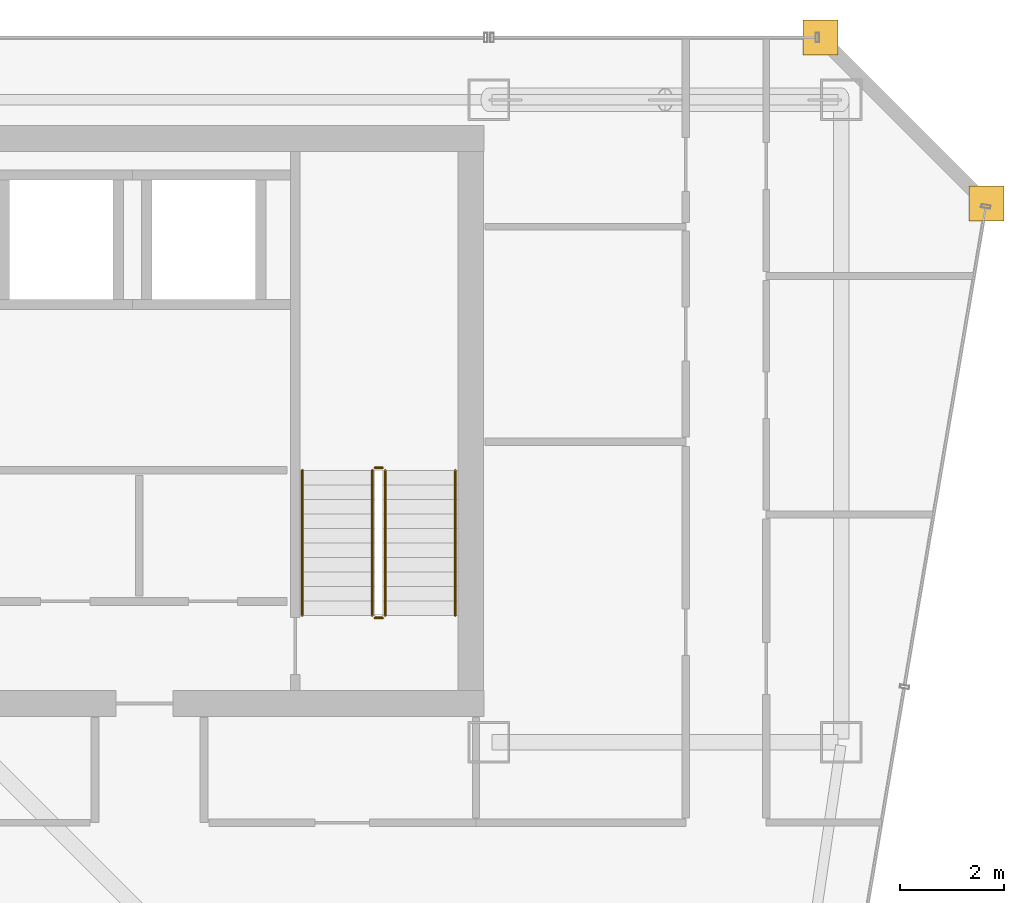
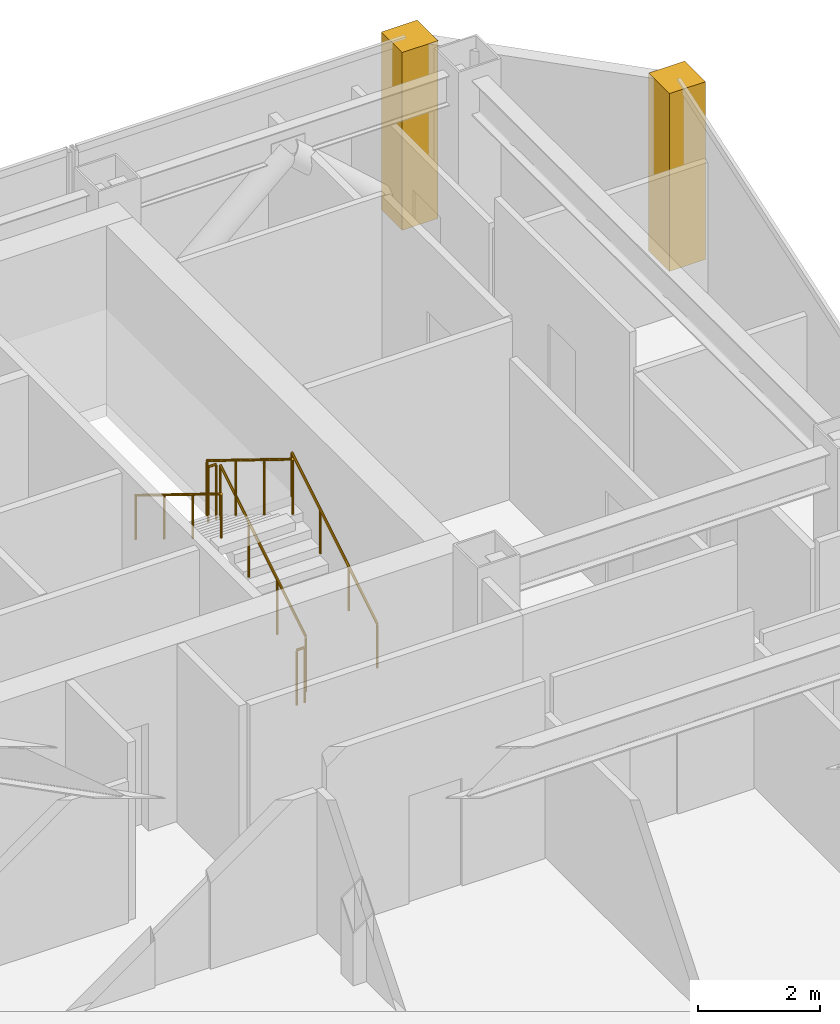
# One storey, part 36 of 36: 6 railings, 2 coverings.
"""IFC4 building model written with IfcOpenShell, lengths in metres."""

from ifc_helpers import new_model, si_unit, direction, frame, origin, origin_2d, place, context, subcontext, project, spatial, polyline, circle, outline, extrude, material, layer, layer_set, type_object, element, save


model = new_model("IFC4")

# Units and contexts
model_context = context("Model", 3, precision=1e-05, world=origin(), true_north=direction((0.0, 1.0)))
body_context = subcontext(model_context, "Body", "Model", "MODEL_VIEW")
ifc_project = project(units=[si_unit("LENGTHUNIT", "METRE"), si_unit("AREAUNIT", "SQUARE_METRE"), si_unit("VOLUMEUNIT", "CUBIC_METRE"), si_unit("PLANEANGLEUNIT", "RADIAN"), si_unit("MASSUNIT", "GRAM", prefix="KILO")], contexts=[model_context])

# Site, building, storey
site_placement = place(None, origin())
site = spatial("IfcSite", under=ifc_project, at=site_placement, CompositionType="ELEMENT")
building_placement = place(site_placement, origin())
building = spatial("IfcBuilding", under=site, at=building_placement, Name="Saevonmaru Cultural Tower", CompositionType="ELEMENT")
storey_placement = place(building_placement, frame((0.0, 0.0, 205.60009765625)))
storey = spatial("IfcBuildingStorey", under=building, at=storey_placement, Name="L47", CompositionType="ELEMENT", Elevation=205.60009765625)

# Coverings
ifc_material_1 = material(Name="Satin Bronze Anodised Aluminium", Category="aluminium")
ifc_layer = layer(ifc_material_1, 0.679931640625, Name="Satin Bronze Anodised Aluminium")
ifc_layer_set = layer_set([ifc_layer], Name="Satin Bronze Anodised Aluminium")
covering_type = type_object("IfcCoveringType", Name="CV-CORNER-CLAD", PredefinedType="CLADDING", material=ifc_layer_set)
covering_1_placement = place(storey_placement, origin())
element("IfcCovering", 1, at=covering_1_placement, inside=storey, type_object=covering_type, Name="L47 Tower Bronze Corner Cladding Pier 9", PredefinedType="CLADDING", context=body_context, shape_type="SweptSolid", body=[
    extrude(outline(polyline([(55.659912109375, 52.4599609375), (56.340087890625, 52.4599609375), (56.340087890625, 53.139892578125), (55.659912109375, 53.139892578125), (55.659912109375, 52.4599609375)])), origin(), (0.0, 0.0, 1.0), 3.5498046875),
])
covering_2_placement = place(storey_placement, origin())
element("IfcCovering", 2, at=covering_2_placement, inside=storey, type_object=covering_type, Name="L47 Tower Bronze Corner Cladding Pier 10", PredefinedType="CLADDING", context=body_context, shape_type="SweptSolid", body=[
    extrude(outline(polyline([(52.4599609375, 55.659912109375), (53.139892578125, 55.659912109375), (53.139892578125, 56.340087890625), (52.4599609375, 56.340087890625), (52.4599609375, 55.659912109375)])), origin(), (0.0, 0.0, 1.0), 3.5498046875),
])

# Railings
ifc_material_2 = material(Name="Architectural Painted Steel", Category="steel")
railing_type_1 = type_object("IfcRailingType", Name="RL-STAIR-GUARD", PredefinedType="GUARDRAIL", material=ifc_material_2)
railing_1_placement = place(storey_placement, frame((44.39990234375, 44.85009765625, 0.172607421875)))
element("IfcRailing", 3, at=railing_1_placement, inside=storey, type_object=railing_type_1, Name="L47 ST-2 stair guard 1", PredefinedType="GUARDRAIL", context=body_context, shape_type="SweptSolid", body=[
    extrude(circle(Radius=0.02392578125, at=origin_2d()), frame((0.0, 0.0, 1.09619140625), z_axis=(0.0, 0.851069175582, 0.525053576669), x_axis=(-1.0, 0.0, 0.0)), (0.0, 0.0, 1.0), 3.289794921875),
    extrude(circle(Radius=0.02099609375, at=origin_2d()), origin(), (0.0, 0.0, 1.0), 1.072021484375),
    extrude(circle(Radius=0.02099609375, at=origin_2d()), frame((0.0, 0.933349609375, 0.57568359375)), (0.0, 0.0, 1.0), 1.072021484375),
    extrude(circle(Radius=0.02099609375, at=origin_2d()), frame((0.0, 1.866455078125, 1.151611328125)), (0.0, 0.0, 1.0), 1.072021484375),
    extrude(circle(Radius=0.02099609375, at=origin_2d()), frame((0.0, 2.7998046875, 1.727294921875)), (0.0, 0.0, 1.0), 1.072021484375),
])
railing_2_placement = place(storey_placement, frame((44.35009765625, 47.699951171875, 1.89990234375)))
element("IfcRailing", 4, at=railing_2_placement, inside=storey, type_object=railing_type_1, Name="L47 ST-2 stair guard 2", PredefinedType="GUARDRAIL", context=body_context, shape_type="SweptSolid", body=[
    extrude(circle(Radius=0.02392578125, at=origin_2d()), frame((0.0, 0.0, 1.09619140625), z_axis=(-1.0, 0.0, 0.0), x_axis=(0.0, -1.0, 0.0)), (0.0, 0.0, 1.0), 0.150146484375),
    extrude(circle(Radius=0.02099609375, at=origin_2d()), origin(), (0.0, 0.0, 1.0), 1.072021484375),
    extrude(circle(Radius=0.02099609375, at=origin_2d()), frame((-0.150146484375, 0.0, 0.0)), (0.0, 0.0, 1.0), 1.072021484375),
])
railing_3_placement = place(storey_placement, frame((44.14990234375, 47.64990234375, 2.072509765625)))
element("IfcRailing", 5, at=railing_3_placement, inside=storey, type_object=railing_type_1, Name="L47 ST-2 stair guard 3", PredefinedType="GUARDRAIL", context=body_context, shape_type="SweptSolid", body=[
    extrude(circle(Radius=0.02392578125, at=origin_2d()), frame((0.0, 0.0, 1.09619140625), z_axis=(0.0, -0.851069175582, 0.525053576669), x_axis=(1.0, 0.0, 0.0)), (0.0, 0.0, 1.0), 3.289794921875),
    extrude(circle(Radius=0.02099609375, at=origin_2d()), origin(), (0.0, 0.0, 1.0), 1.072021484375),
    extrude(circle(Radius=0.02099609375, at=origin_2d()), frame((0.0, -0.933349609375, 0.57568359375)), (0.0, 0.0, 1.0), 1.072021484375),
    extrude(circle(Radius=0.02099609375, at=origin_2d()), frame((0.0, -1.866455078125, 1.151611328125)), (0.0, 0.0, 1.0), 1.072021484375),
    extrude(circle(Radius=0.02099609375, at=origin_2d()), frame((0.0, -2.7998046875, 1.727294921875)), (0.0, 0.0, 1.0), 1.072021484375),
])
railing_4_placement = place(storey_placement, frame((44.35009765625, 44.800048828125, 0.0)))
element("IfcRailing", 6, at=railing_4_placement, inside=storey, type_object=railing_type_1, Name="L47 ST-2 stair guard 4", PredefinedType="GUARDRAIL", context=body_context, shape_type="SweptSolid", body=[
    extrude(circle(Radius=0.02392578125, at=origin_2d()), frame((0.0, 0.0, 1.09619140625), z_axis=(-1.0, 0.0, 0.0), x_axis=(0.0, -1.0, 0.0)), (0.0, 0.0, 1.0), 0.150146484375),
    extrude(circle(Radius=0.02099609375, at=origin_2d()), origin(), (0.0, 0.0, 1.0), 1.072021484375),
    extrude(circle(Radius=0.02099609375, at=origin_2d()), frame((-0.150146484375, 0.0, 0.0)), (0.0, 0.0, 1.0), 1.072021484375),
])
railing_type_2 = type_object("IfcRailingType", Name="RL-STAIR-HANDRAIL", PredefinedType="HANDRAIL", material=ifc_material_1)
railing_5_placement = place(storey_placement, frame((45.75, 44.85009765625, 0.172607421875)))
element("IfcRailing", 7, at=railing_5_placement, inside=storey, type_object=railing_type_2, Name="L47 ST-2 stair handrail 1", PredefinedType="HANDRAIL", context=body_context, shape_type="SweptSolid", body=[
    extrude(circle(Radius=0.02392578125, at=origin_2d()), frame((0.0, 0.0, 0.8759765625), z_axis=(0.0, 0.851069175582, 0.525053576669), x_axis=(-1.0, 0.0, 0.0)), (0.0, 0.0, 1.0), 3.289794921875),
    extrude(circle(Radius=0.02099609375, at=origin_2d()), origin(), (0.0, 0.0, 1.0), 0.851806640625),
    extrude(circle(Radius=0.02099609375, at=origin_2d()), frame((0.0, 0.933349609375, 0.57568359375)), (0.0, 0.0, 1.0), 0.851806640625),
    extrude(circle(Radius=0.02099609375, at=origin_2d()), frame((0.0, 1.866455078125, 1.151611328125)), (0.0, 0.0, 1.0), 0.851806640625),
    extrude(circle(Radius=0.02099609375, at=origin_2d()), frame((0.0, 2.7998046875, 1.727294921875)), (0.0, 0.0, 1.0), 0.851806640625),
])
railing_6_placement = place(storey_placement, frame((42.800048828125, 47.64990234375, 2.072509765625)))
element("IfcRailing", 8, at=railing_6_placement, inside=storey, type_object=railing_type_2, Name="L47 ST-2 stair handrail 2", PredefinedType="HANDRAIL", context=body_context, shape_type="SweptSolid", body=[
    extrude(circle(Radius=0.02392578125, at=origin_2d()), frame((0.0, 0.0, 0.8759765625), z_axis=(0.0, -0.851069175582, 0.525053576669), x_axis=(1.0, 0.0, 0.0)), (0.0, 0.0, 1.0), 3.289794921875),
    extrude(circle(Radius=0.02099609375, at=origin_2d()), origin(), (0.0, 0.0, 1.0), 0.851806640625),
    extrude(circle(Radius=0.02099609375, at=origin_2d()), frame((0.0, -0.933349609375, 0.57568359375)), (0.0, 0.0, 1.0), 0.851806640625),
    extrude(circle(Radius=0.02099609375, at=origin_2d()), frame((0.0, -1.866455078125, 1.151611328125)), (0.0, 0.0, 1.0), 0.851806640625),
    extrude(circle(Radius=0.02099609375, at=origin_2d()), frame((0.0, -2.7998046875, 1.727294921875)), (0.0, 0.0, 1.0), 0.851806640625),
])

save(model, "model.ifc")
